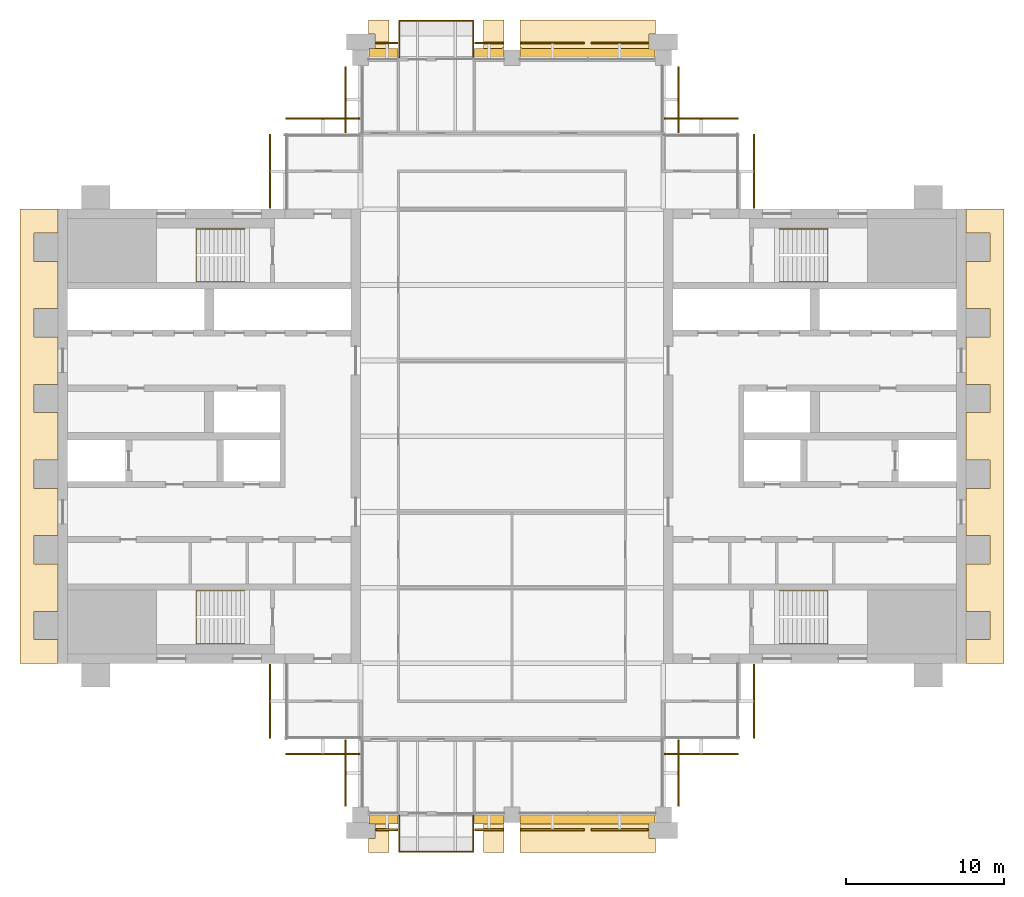
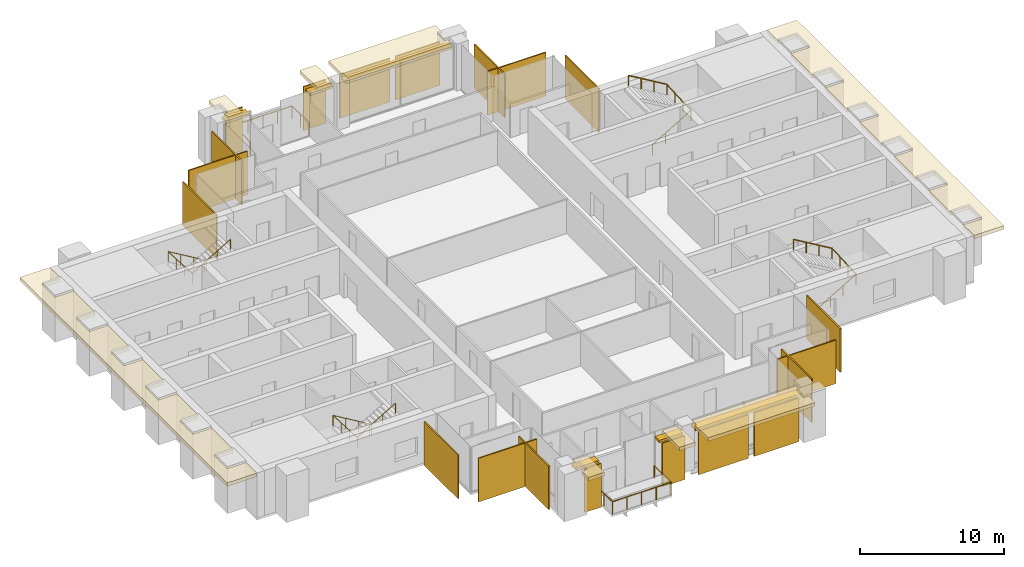
# One storey, part 13 of 13: 28 coverings, 6 railings, 6 shading devices.
"""IFC4 building model written with IfcOpenShell, lengths in metres."""

from ifc_helpers import new_model, si_unit, direction, frame, origin, origin_2d, place, context, subcontext, project, spatial, polyline, rectangle, circle, outline, extrude, material, layer, layer_set, type_object, element, save


model = new_model("IFC4")

# Units and contexts
model_context = context("Model", 3, precision=1e-05, world=origin(), true_north=direction((0.0, 1.0)))
body_context = subcontext(model_context, "Body", "Model", "MODEL_VIEW")
ifc_project = project(units=[si_unit("LENGTHUNIT", "METRE"), si_unit("AREAUNIT", "SQUARE_METRE"), si_unit("VOLUMEUNIT", "CUBIC_METRE"), si_unit("PLANEANGLEUNIT", "RADIAN"), si_unit("MASSUNIT", "GRAM", prefix="KILO")], contexts=[model_context])

# Site, building, storey
site_placement = place(None, origin())
site = spatial("IfcSite", under=ifc_project, at=site_placement, CompositionType="ELEMENT")
building_placement = place(site_placement, origin())
building = spatial("IfcBuilding", under=site, at=building_placement, Name="Baori Bourse Tower", CompositionType="ELEMENT")
storey_placement = place(building_placement, frame((0.0, 0.0, 338.300048828125)))
storey = spatial("IfcBuildingStorey", under=building, at=storey_placement, Name="L75", CompositionType="ELEMENT", Elevation=338.300048828125)

# Coverings
ifc_material_1 = material(Name="Pale anodised aluminium", Category="aluminium")
covering_type_1 = type_object("IfcCoveringType", Name="BD1 Pale metal band", PredefinedType="CLADDING", material=ifc_material_1)
covering_1_placement = place(storey_placement, frame((0.0, 0.0, 3.5400390625)))
element("IfcCovering", 1, at=covering_1_placement, inside=storey, type_object=covering_type_1, Name="Pale projecting band L75 1", PredefinedType="CLADDING", context=body_context, shape_type="SweptSolid", body=[
    extrude(outline(polyline([(57.60009765625, 11.10009765625), (57.60009765625, 9.60009765625), (60.0, 9.60009765625), (60.0, 38.39990234375), (57.60009765625, 38.39990234375), (57.60009765625, 36.89990234375), (59.10009765625, 36.89990234375), (59.10009765625, 35.10009765625), (57.60009765625, 35.10009765625), (57.60009765625, 32.10009765625), (59.10009765625, 32.10009765625), (59.10009765625, 30.300048828125), (57.60009765625, 30.300048828125), (57.60009765625, 27.300048828125), (59.10009765625, 27.300048828125), (59.10009765625, 25.5), (57.60009765625, 25.5), (57.60009765625, 22.5), (59.10009765625, 22.5), (59.10009765625, 20.699951171875), (57.60009765625, 20.699951171875), (57.60009765625, 17.699951171875), (59.10009765625, 17.699951171875), (59.10009765625, 15.89990234375), (57.60009765625, 15.89990234375), (57.60009765625, 12.89990234375), (59.10009765625, 12.89990234375), (59.10009765625, 11.10009765625), (57.60009765625, 11.10009765625)])), origin(), (0.0, 0.0, 1.0), 0.2998046875),
])
covering_2_placement = place(storey_placement, frame((0.0, 0.0, 3.5400390625)))
element("IfcCovering", 2, at=covering_2_placement, inside=storey, type_object=covering_type_1, Name="Pale projecting band L75 2", PredefinedType="CLADDING", context=body_context, shape_type="SweptSolid", body=[
    extrude(outline(polyline([(29.419921875, 48.0), (37.780029296875, 48.0), (37.780029296875, 48.5), (37.5, 48.5), (37.5, 49.5), (37.89990234375, 49.5), (37.89990234375, 50.39990234375), (29.300048828125, 50.39990234375), (29.300048828125, 48.6201171875), (29.419921875, 48.6201171875), (29.419921875, 48.0)])), origin(), (0.0, 0.0, 1.0), 0.2998046875),
])
covering_3_placement = place(storey_placement, frame((0.0, 0.0, 3.5400390625)))
element("IfcCovering", 3, at=covering_3_placement, inside=storey, type_object=covering_type_1, Name="Pale projecting band L75 3", PredefinedType="CLADDING", context=body_context, shape_type="SweptSolid", body=[
    extrude(outline(polyline([(27.0, 48.0), (28.179931640625, 48.0), (28.179931640625, 48.6201171875), (28.300048828125, 48.6201171875), (28.300048828125, 50.39990234375), (27.0, 50.39990234375), (27.0, 48.0)])), origin(), (0.0, 0.0, 1.0), 0.2998046875),
])
covering_4_placement = place(storey_placement, frame((0.0, 0.0, 3.5400390625)))
element("IfcCovering", 4, at=covering_4_placement, inside=storey, type_object=covering_type_1, Name="Pale projecting band L75 4", PredefinedType="CLADDING", context=body_context, shape_type="SweptSolid", body=[
    extrude(outline(polyline([(19.820068359375, 48.0), (21.0, 48.0), (21.0, 50.39990234375), (19.699951171875, 50.39990234375), (19.699951171875, 49.5), (20.10009765625, 49.5), (20.10009765625, 48.5), (19.820068359375, 48.5), (19.820068359375, 48.0)])), origin(), (0.0, 0.0, 1.0), 0.2998046875),
])
covering_5_placement = place(storey_placement, frame((0.0, 0.0, 3.5400390625)))
element("IfcCovering", 5, at=covering_5_placement, inside=storey, type_object=covering_type_1, Name="Pale projecting band L75 5", PredefinedType="CLADDING", context=body_context, shape_type="SweptSolid", body=[
    extrude(outline(polyline([(0.0, 36.89990234375), (0.0, 38.39990234375), (-2.39990234375, 38.39990234375), (-2.39990234375, 9.60009765625), (0.0, 9.60009765625), (0.0, 11.10009765625), (-1.5, 11.10009765625), (-1.5, 12.89990234375), (0.0, 12.89990234375), (0.0, 15.89990234375), (-1.5, 15.89990234375), (-1.5, 17.699951171875), (0.0, 17.699951171875), (0.0, 20.699951171875), (-1.5, 20.699951171875), (-1.5, 22.5), (0.0, 22.5), (0.0, 25.5), (-1.5, 25.5), (-1.5, 27.300048828125), (0.0, 27.300048828125), (0.0, 30.300048828125), (-1.5, 30.300048828125), (-1.5, 32.10009765625), (0.0, 32.10009765625), (0.0, 35.10009765625), (-1.5, 35.10009765625), (-1.5, 36.89990234375), (0.0, 36.89990234375)])), origin(), (0.0, 0.0, 1.0), 0.2998046875),
])
covering_6_placement = place(storey_placement, frame((0.0, 0.0, 3.5400390625)))
element("IfcCovering", 6, at=covering_6_placement, inside=storey, type_object=covering_type_1, Name="Pale projecting band L75 6", PredefinedType="CLADDING", context=body_context, shape_type="SweptSolid", body=[
    extrude(outline(polyline([(21.0, 0.0), (19.820068359375, 0.0), (19.820068359375, -0.5), (20.10009765625, -0.5), (20.10009765625, -1.5), (19.699951171875, -1.5), (19.699951171875, -2.39990234375), (21.0, -2.39990234375), (21.0, 0.0)])), origin(), (0.0, 0.0, 1.0), 0.2998046875),
])
covering_7_placement = place(storey_placement, frame((0.0, 0.0, 3.5400390625)))
element("IfcCovering", 7, at=covering_7_placement, inside=storey, type_object=covering_type_1, Name="Pale projecting band L75 7", PredefinedType="CLADDING", context=body_context, shape_type="SweptSolid", body=[
    extrude(outline(polyline([(28.179931640625, 0.0), (27.0, 0.0), (27.0, -2.39990234375), (28.300048828125, -2.39990234375), (28.300048828125, -0.6201171875), (28.179931640625, -0.6201171875), (28.179931640625, 0.0)])), origin(), (0.0, 0.0, 1.0), 0.2998046875),
])
covering_8_placement = place(storey_placement, frame((0.0, 0.0, 3.5400390625)))
element("IfcCovering", 8, at=covering_8_placement, inside=storey, type_object=covering_type_1, Name="Pale projecting band L75 8", PredefinedType="CLADDING", context=body_context, shape_type="SweptSolid", body=[
    extrude(outline(polyline([(37.780029296875, 0.0), (29.419921875, 0.0), (29.419921875, -0.6201171875), (29.300048828125, -0.6201171875), (29.300048828125, -2.39990234375), (37.89990234375, -2.39990234375), (37.89990234375, -1.5), (37.5, -1.5), (37.5, -0.5), (37.780029296875, -0.5), (37.780029296875, 0.0)])), origin(), (0.0, 0.0, 1.0), 0.2998046875),
])

# Shading devices
ifc_material_2 = material(Name="Concrete f'c 40 MPa", Category="concrete")
ifc_layer_1 = layer(ifc_material_2, 0.199951171875)
ifc_layer_set_1 = layer_set([ifc_layer_1], Name="BS1 Brise-soleil ledge")
shading_device_type = type_object("IfcShadingDeviceType", Name="BS1 Brise-soleil ledge", PredefinedType="USERDEFINED", material=ifc_layer_set_1)
shading_device_1_placement = place(storey_placement, frame((33.60009765625, 48.300048828125, 3.33984375), z_axis=(0.0, 0.0, 1.0), x_axis=(-1.0, 0.0, 0.0)))
element("IfcShadingDevice", 9, at=shading_device_1_placement, inside=storey, type_object=shading_device_type, Name="Brise-soleil ledge L75 1", ObjectType="BRISE SOLEIL", PredefinedType="USERDEFINED", context=body_context, shape_type="SweptSolid", body=[
    extrude(rectangle(XDim=8.56005859375, YDim=0.60009765625, at=origin_2d()), origin(), (0.0, 0.0, 1.0), 0.199951171875),
])
for number, where, z_axis, x_axis, name in (
    (10, (27.35009765625, 48.300048828125, 3.33984375), (0.0, 0.0, 1.0), (-1.0, 0.0, 0.0), "Brise-soleil ledge L75 2"),
    (11, (20.64990234375, 48.300048828125, 3.33984375), (0.0, 0.0, 1.0), (-1.0, 0.0, 0.0), "Brise-soleil ledge L75 3"),
    (12, (20.64990234375, -0.300048828125, 3.33984375), (0.0, 0.0, 1.0), (1.0, 0.0, 0.0), "Brise-soleil ledge L75 4"),
    (13, (27.35009765625, -0.300048828125, 3.33984375), (0.0, 0.0, 1.0), (1.0, 0.0, 0.0), "Brise-soleil ledge L75 5"),
):
    element("IfcShadingDevice", number, at=place(storey_placement, frame(where, z_axis=z_axis, x_axis=x_axis)), inside=storey, type_object=shading_device_type, Name=name, ObjectType="BRISE SOLEIL", PredefinedType="USERDEFINED", context=body_context, shape_type="SweptSolid", body=[
        extrude(rectangle(XDim=1.860107421875, YDim=0.60009765625, at=origin_2d()), origin(), (0.0, 0.0, 1.0), 0.199951171875),
    ])
shading_device_2_placement = place(storey_placement, frame((33.60009765625, -0.300048828125, 3.33984375), z_axis=(0.0, 0.0, 1.0), x_axis=(1.0, 0.0, 0.0)))
element("IfcShadingDevice", 14, at=shading_device_2_placement, inside=storey, type_object=shading_device_type, Name="Brise-soleil ledge L75 6", ObjectType="BRISE SOLEIL", PredefinedType="USERDEFINED", context=body_context, shape_type="SweptSolid", body=[
    extrude(rectangle(XDim=8.56005859375, YDim=0.60009765625, at=origin_2d()), origin(), (0.0, 0.0, 1.0), 0.199951171875),
])

# Railings
ifc_material_3 = material(Name="Powder-coated steel balustrade", Category="steel")
railing_type_1 = type_object("IfcRailingType", Name="Core stair handrail", PredefinedType="HANDRAIL", material=ifc_material_3)
railing_1_placement = place(storey_placement, frame((11.85009765625, 14.199951171875, 0.16650390625)))
element("IfcRailing", 15, at=railing_1_placement, inside=storey, type_object=railing_type_1, Name="L75 ST1 stair handrail 1", PredefinedType="HANDRAIL", context=body_context, shape_type="SweptSolid", body=[
    extrude(circle(Radius=0.02392578125, at=origin_2d()), frame((0.0, 0.0, 0.8759765625), z_axis=(-0.85927862911, 0.0, 0.511507807912), x_axis=(0.0, -1.0, 0.0)), (0.0, 0.0, 1.0), 3.58447265625),
    extrude(circle(Radius=0.02392578125, at=origin_2d()), frame((-3.080078125, 0.0, 2.70947265625), z_axis=(0.0, -0.998766999029, 0.049643545903), x_axis=(1.0, 0.0, 0.0)), (0.0, 0.0, 1.0), 3.35400390625),
    extrude(circle(Radius=0.02392578125, at=origin_2d()), frame((-3.080078125, -3.349853515625, 2.8759765625), z_axis=(0.85927862911, 0.0, 0.511507807912), x_axis=(0.0, 1.0, 0.0)), (0.0, 0.0, 1.0), 3.58447265625),
    extrude(circle(Radius=0.02099609375, at=origin_2d()), origin(), (0.0, 0.0, 1.0), 0.851806640625),
    extrude(circle(Radius=0.02099609375, at=origin_2d()), frame((-1.026611328125, 0.0, 0.611083984375)), (0.0, 0.0, 1.0), 0.851806640625),
    extrude(circle(Radius=0.02099609375, at=origin_2d()), frame((-2.053466796875, 0.0, 1.222412109375)), (0.0, 0.0, 1.0), 0.851806640625),
    extrude(circle(Radius=0.02099609375, at=origin_2d()), frame((-3.080078125, 0.0, 1.83349609375)), (0.0, 0.0, 1.0), 0.851806640625),
    extrude(circle(Radius=0.02099609375, at=origin_2d()), frame((-3.080078125, -1.11669921875, 1.888916015625)), (0.0, 0.0, 1.0), 0.851806640625),
    extrude(circle(Radius=0.02099609375, at=origin_2d()), frame((-3.080078125, -2.233154296875, 1.944580078125)), (0.0, 0.0, 1.0), 0.851806640625),
    extrude(circle(Radius=0.02099609375, at=origin_2d()), frame((-3.080078125, -3.349853515625, 2.0)), (0.0, 0.0, 1.0), 0.851806640625),
    extrude(circle(Radius=0.02099609375, at=origin_2d()), frame((-2.053466796875, -3.349853515625, 2.611083984375)), (0.0, 0.0, 1.0), 0.851806640625),
    extrude(circle(Radius=0.02099609375, at=origin_2d()), frame((-1.026611328125, -3.349853515625, 3.222412109375)), (0.0, 0.0, 1.0), 0.851806640625),
    extrude(circle(Radius=0.02099609375, at=origin_2d()), frame((0.0, -3.349853515625, 3.83349609375)), (0.0, 0.0, 1.0), 0.851806640625),
])
railing_2_placement = place(storey_placement, frame((11.85009765625, 37.14990234375, 0.16650390625)))
element("IfcRailing", 16, at=railing_2_placement, inside=storey, type_object=railing_type_1, Name="L75 ST2 stair handrail 1", PredefinedType="HANDRAIL", context=body_context, shape_type="SweptSolid", body=[
    extrude(circle(Radius=0.02392578125, at=origin_2d()), frame((0.0, 0.0, 0.8759765625), z_axis=(-0.85927862911, 0.0, 0.511507807912), x_axis=(0.0, -1.0, 0.0)), (0.0, 0.0, 1.0), 3.58447265625),
    extrude(circle(Radius=0.02392578125, at=origin_2d()), frame((-3.080078125, 0.0, 2.70947265625), z_axis=(0.0, -0.998766999029, 0.049643545903), x_axis=(1.0, 0.0, 0.0)), (0.0, 0.0, 1.0), 3.35400390625),
    extrude(circle(Radius=0.02392578125, at=origin_2d()), frame((-3.080078125, -3.349853515625, 2.8759765625), z_axis=(0.85927862911, 0.0, 0.511507807912), x_axis=(0.0, 1.0, 0.0)), (0.0, 0.0, 1.0), 3.58447265625),
    extrude(circle(Radius=0.02099609375, at=origin_2d()), origin(), (0.0, 0.0, 1.0), 0.851806640625),
    extrude(circle(Radius=0.02099609375, at=origin_2d()), frame((-1.026611328125, 0.0, 0.611083984375)), (0.0, 0.0, 1.0), 0.851806640625),
    extrude(circle(Radius=0.02099609375, at=origin_2d()), frame((-2.053466796875, 0.0, 1.222412109375)), (0.0, 0.0, 1.0), 0.851806640625),
    extrude(circle(Radius=0.02099609375, at=origin_2d()), frame((-3.080078125, 0.0, 1.83349609375)), (0.0, 0.0, 1.0), 0.851806640625),
    extrude(circle(Radius=0.02099609375, at=origin_2d()), frame((-3.080078125, -1.11669921875, 1.888916015625)), (0.0, 0.0, 1.0), 0.851806640625),
    extrude(circle(Radius=0.02099609375, at=origin_2d()), frame((-3.080078125, -2.233154296875, 1.944580078125)), (0.0, 0.0, 1.0), 0.851806640625),
    extrude(circle(Radius=0.02099609375, at=origin_2d()), frame((-3.080078125, -3.349853515625, 2.0)), (0.0, 0.0, 1.0), 0.851806640625),
    extrude(circle(Radius=0.02099609375, at=origin_2d()), frame((-2.053466796875, -3.349853515625, 2.611083984375)), (0.0, 0.0, 1.0), 0.851806640625),
    extrude(circle(Radius=0.02099609375, at=origin_2d()), frame((-1.026611328125, -3.349853515625, 3.222412109375)), (0.0, 0.0, 1.0), 0.851806640625),
    extrude(circle(Radius=0.02099609375, at=origin_2d()), frame((0.0, -3.349853515625, 3.83349609375)), (0.0, 0.0, 1.0), 0.851806640625),
])
railing_3_placement = place(storey_placement, frame((45.75, 10.85009765625, 0.16650390625)))
element("IfcRailing", 17, at=railing_3_placement, inside=storey, type_object=railing_type_1, Name="L75 ST3 stair handrail 1", PredefinedType="HANDRAIL", context=body_context, shape_type="SweptSolid", body=[
    extrude(circle(Radius=0.02392578125, at=origin_2d()), frame((0.0, 0.0, 0.8759765625), z_axis=(0.85927862911, 0.0, 0.511507807912), x_axis=(0.0, 1.0, 0.0)), (0.0, 0.0, 1.0), 3.58447265625),
    extrude(circle(Radius=0.02392578125, at=origin_2d()), frame((3.080078125, 0.0, 2.70947265625), z_axis=(0.0, 0.998766999029, 0.049643545903), x_axis=(-1.0, 0.0, 0.0)), (0.0, 0.0, 1.0), 3.35400390625),
    extrude(circle(Radius=0.02392578125, at=origin_2d()), frame((3.080078125, 3.349853515625, 2.8759765625), z_axis=(-0.85927862911, 0.0, 0.511507807912), x_axis=(0.0, -1.0, 0.0)), (0.0, 0.0, 1.0), 3.58447265625),
    extrude(circle(Radius=0.02099609375, at=origin_2d()), origin(), (0.0, 0.0, 1.0), 0.851806640625),
    extrude(circle(Radius=0.02099609375, at=origin_2d()), frame((1.026611328125, 0.0, 0.611083984375)), (0.0, 0.0, 1.0), 0.851806640625),
    extrude(circle(Radius=0.02099609375, at=origin_2d()), frame((2.053466796875, 0.0, 1.222412109375)), (0.0, 0.0, 1.0), 0.851806640625),
    extrude(circle(Radius=0.02099609375, at=origin_2d()), frame((3.080078125, 0.0, 1.83349609375)), (0.0, 0.0, 1.0), 0.851806640625),
    extrude(circle(Radius=0.02099609375, at=origin_2d()), frame((3.080078125, 1.11669921875, 1.888916015625)), (0.0, 0.0, 1.0), 0.851806640625),
    extrude(circle(Radius=0.02099609375, at=origin_2d()), frame((3.080078125, 2.233154296875, 1.944580078125)), (0.0, 0.0, 1.0), 0.851806640625),
    extrude(circle(Radius=0.02099609375, at=origin_2d()), frame((3.080078125, 3.349853515625, 2.0)), (0.0, 0.0, 1.0), 0.851806640625),
    extrude(circle(Radius=0.02099609375, at=origin_2d()), frame((2.053466796875, 3.349853515625, 2.611083984375)), (0.0, 0.0, 1.0), 0.851806640625),
    extrude(circle(Radius=0.02099609375, at=origin_2d()), frame((1.026611328125, 3.349853515625, 3.222412109375)), (0.0, 0.0, 1.0), 0.851806640625),
    extrude(circle(Radius=0.02099609375, at=origin_2d()), frame((0.0, 3.349853515625, 3.83349609375)), (0.0, 0.0, 1.0), 0.851806640625),
])
railing_4_placement = place(storey_placement, frame((45.75, 33.800048828125, 0.16650390625)))
element("IfcRailing", 18, at=railing_4_placement, inside=storey, type_object=railing_type_1, Name="L75 ST4 stair handrail 1", PredefinedType="HANDRAIL", context=body_context, shape_type="SweptSolid", body=[
    extrude(circle(Radius=0.02392578125, at=origin_2d()), frame((0.0, 0.0, 0.8759765625), z_axis=(0.85927862911, 0.0, 0.511507807912), x_axis=(0.0, 1.0, 0.0)), (0.0, 0.0, 1.0), 3.58447265625),
    extrude(circle(Radius=0.02392578125, at=origin_2d()), frame((3.080078125, 0.0, 2.70947265625), z_axis=(0.0, 0.998766999029, 0.049643545903), x_axis=(-1.0, 0.0, 0.0)), (0.0, 0.0, 1.0), 3.35400390625),
    extrude(circle(Radius=0.02392578125, at=origin_2d()), frame((3.080078125, 3.349853515625, 2.8759765625), z_axis=(-0.85927862911, 0.0, 0.511507807912), x_axis=(0.0, -1.0, 0.0)), (0.0, 0.0, 1.0), 3.58447265625),
    extrude(circle(Radius=0.02099609375, at=origin_2d()), origin(), (0.0, 0.0, 1.0), 0.851806640625),
    extrude(circle(Radius=0.02099609375, at=origin_2d()), frame((1.026611328125, 0.0, 0.611083984375)), (0.0, 0.0, 1.0), 0.851806640625),
    extrude(circle(Radius=0.02099609375, at=origin_2d()), frame((2.053466796875, 0.0, 1.222412109375)), (0.0, 0.0, 1.0), 0.851806640625),
    extrude(circle(Radius=0.02099609375, at=origin_2d()), frame((3.080078125, 0.0, 1.83349609375)), (0.0, 0.0, 1.0), 0.851806640625),
    extrude(circle(Radius=0.02099609375, at=origin_2d()), frame((3.080078125, 1.11669921875, 1.888916015625)), (0.0, 0.0, 1.0), 0.851806640625),
    extrude(circle(Radius=0.02099609375, at=origin_2d()), frame((3.080078125, 2.233154296875, 1.944580078125)), (0.0, 0.0, 1.0), 0.851806640625),
    extrude(circle(Radius=0.02099609375, at=origin_2d()), frame((3.080078125, 3.349853515625, 2.0)), (0.0, 0.0, 1.0), 0.851806640625),
    extrude(circle(Radius=0.02099609375, at=origin_2d()), frame((2.053466796875, 3.349853515625, 2.611083984375)), (0.0, 0.0, 1.0), 0.851806640625),
    extrude(circle(Radius=0.02099609375, at=origin_2d()), frame((1.026611328125, 3.349853515625, 3.222412109375)), (0.0, 0.0, 1.0), 0.851806640625),
    extrude(circle(Radius=0.02099609375, at=origin_2d()), frame((0.0, 3.349853515625, 3.83349609375)), (0.0, 0.0, 1.0), 0.851806640625),
])
ifc_material_4 = material(Name="Stainless steel", Category="steel")
railing_type_2 = type_object("IfcRailingType", Name="GD1 Guard", PredefinedType="GUARDRAIL", material=ifc_material_4)
railing_5_placement = place(storey_placement, frame((21.64990234375, -0.030029296875, 0.0)))
element("IfcRailing", 19, at=railing_5_placement, inside=storey, type_object=railing_type_2, Name="Guard balcony S L75 1", PredefinedType="GUARDRAIL", context=body_context, shape_type="SweptSolid", body=[
    extrude(circle(Radius=0.02392578125, at=origin_2d()), frame((0.0, 0.0, 1.076171875), z_axis=(0.0, -1.0, 0.0), x_axis=(1.0, 0.0, 0.0)), (0.0, 0.0, 1.0), 2.320068359375),
    extrude(circle(Radius=0.02392578125, at=origin_2d()), frame((0.0, -2.320068359375, 1.076171875), z_axis=(1.0, 0.0, 0.0), x_axis=(0.0, 1.0, 0.0)), (0.0, 0.0, 1.0), 4.7001953125),
    extrude(circle(Radius=0.02392578125, at=origin_2d()), frame((4.7001953125, -2.320068359375, 1.076171875), z_axis=(0.0, 1.0, 0.0), x_axis=(-1.0, 0.0, 0.0)), (0.0, 0.0, 1.0), 2.320068359375),
    extrude(circle(Radius=0.02099609375, at=origin_2d()), origin(), (0.0, 0.0, 1.0), 1.052001953125),
    extrude(circle(Radius=0.02099609375, at=origin_2d()), frame((0.0, -1.16015625, 0.0)), (0.0, 0.0, 1.0), 1.052001953125),
    extrude(circle(Radius=0.02099609375, at=origin_2d()), frame((0.0, -2.320068359375, 0.0)), (0.0, 0.0, 1.0), 1.052001953125),
    extrude(circle(Radius=0.02099609375, at=origin_2d()), frame((1.175048828125, -2.320068359375, 0.0)), (0.0, 0.0, 1.0), 1.052001953125),
    extrude(circle(Radius=0.02099609375, at=origin_2d()), frame((2.35009765625, -2.320068359375, 0.0)), (0.0, 0.0, 1.0), 1.052001953125),
    extrude(circle(Radius=0.02099609375, at=origin_2d()), frame((3.525146484375, -2.320068359375, 0.0)), (0.0, 0.0, 1.0), 1.052001953125),
    extrude(circle(Radius=0.02099609375, at=origin_2d()), frame((4.7001953125, -2.320068359375, 0.0)), (0.0, 0.0, 1.0), 1.052001953125),
    extrude(circle(Radius=0.02099609375, at=origin_2d()), frame((4.7001953125, -1.16015625, 0.0)), (0.0, 0.0, 1.0), 1.052001953125),
    extrude(circle(Radius=0.02099609375, at=origin_2d()), frame((4.7001953125, 0.0, 0.0)), (0.0, 0.0, 1.0), 1.052001953125),
])
railing_6_placement = place(storey_placement, frame((21.64990234375, 48.030029296875, 0.0)))
element("IfcRailing", 20, at=railing_6_placement, inside=storey, type_object=railing_type_2, Name="Guard balcony N L75 2", PredefinedType="GUARDRAIL", context=body_context, shape_type="SweptSolid", body=[
    extrude(circle(Radius=0.02392578125, at=origin_2d()), frame((0.0, 0.0, 1.076171875), z_axis=(0.0, 1.0, 0.0), x_axis=(-1.0, 0.0, 0.0)), (0.0, 0.0, 1.0), 2.320068359375),
    extrude(circle(Radius=0.02392578125, at=origin_2d()), frame((0.0, 2.320068359375, 1.076171875), z_axis=(1.0, 0.0, 0.0), x_axis=(0.0, 1.0, 0.0)), (0.0, 0.0, 1.0), 4.7001953125),
    extrude(circle(Radius=0.02392578125, at=origin_2d()), frame((4.7001953125, 2.320068359375, 1.076171875), z_axis=(0.0, -1.0, 0.0), x_axis=(1.0, 0.0, 0.0)), (0.0, 0.0, 1.0), 2.320068359375),
    extrude(circle(Radius=0.02099609375, at=origin_2d()), origin(), (0.0, 0.0, 1.0), 1.052001953125),
    extrude(circle(Radius=0.02099609375, at=origin_2d()), frame((0.0, 1.16015625, 0.0)), (0.0, 0.0, 1.0), 1.052001953125),
    extrude(circle(Radius=0.02099609375, at=origin_2d()), frame((0.0, 2.320068359375, 0.0)), (0.0, 0.0, 1.0), 1.052001953125),
    extrude(circle(Radius=0.02099609375, at=origin_2d()), frame((1.175048828125, 2.320068359375, 0.0)), (0.0, 0.0, 1.0), 1.052001953125),
    extrude(circle(Radius=0.02099609375, at=origin_2d()), frame((2.35009765625, 2.320068359375, 0.0)), (0.0, 0.0, 1.0), 1.052001953125),
    extrude(circle(Radius=0.02099609375, at=origin_2d()), frame((3.525146484375, 2.320068359375, 0.0)), (0.0, 0.0, 1.0), 1.052001953125),
    extrude(circle(Radius=0.02099609375, at=origin_2d()), frame((4.7001953125, 2.320068359375, 0.0)), (0.0, 0.0, 1.0), 1.052001953125),
    extrude(circle(Radius=0.02099609375, at=origin_2d()), frame((4.7001953125, 1.16015625, 0.0)), (0.0, 0.0, 1.0), 1.052001953125),
    extrude(circle(Radius=0.02099609375, at=origin_2d()), frame((4.7001953125, 0.0, 0.0)), (0.0, 0.0, 1.0), 1.052001953125),
])

# Coverings
ifc_material_5 = material(Name="Pale anodised aluminium", Category="aluminium")
ifc_layer_2 = layer(ifc_material_5, 0.10009765625)
ifc_layer_set_2 = layer_set([ifc_layer_2], Name="OS3 Outer skin screen panel")
covering_type_2 = type_object("IfcCoveringType", Name="OS3 Outer skin screen panel", PredefinedType="CLADDING", material=ifc_layer_set_2)
covering_9_placement = place(storey_placement, frame((0.0, 0.0, -0.16015625)))
element("IfcCovering", 21, at=covering_9_placement, inside=storey, type_object=covering_type_2, Name="Outer skin screen L75 1", PredefinedType="CLADDING", context=body_context, shape_type="SweptSolid", body=[
    extrude(outline(polyline([(44.10009765625, 43.14990234375), (44.10009765625, 38.449951171875), (44.199951171875, 38.449951171875), (44.199951171875, 43.14990234375), (44.10009765625, 43.14990234375)])), origin(), (0.0, 0.0, 1.0), 3.7001953125),
])
covering_10_placement = place(storey_placement, frame((0.0, 0.0, -0.16015625)))
element("IfcCovering", 22, at=covering_10_placement, inside=storey, type_object=covering_type_2, Name="Outer skin screen L75 2", PredefinedType="CLADDING", context=body_context, shape_type="SweptSolid", body=[
    extrude(outline(polyline([(38.449951171875, 44.10009765625), (43.14990234375, 44.10009765625), (43.14990234375, 44.199951171875), (38.449951171875, 44.199951171875), (38.449951171875, 44.10009765625)])), origin(), (0.0, 0.0, 1.0), 3.7001953125),
])
covering_11_placement = place(storey_placement, frame((0.0, 0.0, -0.16015625)))
element("IfcCovering", 23, at=covering_11_placement, inside=storey, type_object=covering_type_2, Name="Outer skin screen L75 3", PredefinedType="CLADDING", context=body_context, shape_type="SweptSolid", body=[
    extrude(outline(polyline([(39.300048828125, 47.449951171875), (39.300048828125, 43.25), (39.39990234375, 43.25), (39.39990234375, 47.449951171875), (39.300048828125, 47.449951171875)])), origin(), (0.0, 0.0, 1.0), 3.7001953125),
])
covering_12_placement = place(storey_placement, frame((0.0, 0.0, -0.16015625)))
element("IfcCovering", 24, at=covering_12_placement, inside=storey, type_object=covering_type_2, Name="Outer skin screen L75 4", PredefinedType="CLADDING", context=body_context, shape_type="SweptSolid", body=[
    extrude(outline(polyline([(33.824951171875, 48.89990234375), (37.39990234375, 48.89990234375), (37.39990234375, 49.0), (33.824951171875, 49.0), (33.824951171875, 48.89990234375)])), origin(), (0.0, 0.0, 1.0), 3.7001953125),
])
covering_13_placement = place(storey_placement, frame((0.0, 0.0, -0.16015625)))
element("IfcCovering", 25, at=covering_13_placement, inside=storey, type_object=covering_type_2, Name="Outer skin screen L75 5", PredefinedType="CLADDING", context=body_context, shape_type="SweptSolid", body=[
    extrude(outline(polyline([(29.35009765625, 48.89990234375), (33.375, 48.89990234375), (33.375, 49.0), (29.35009765625, 49.0), (29.35009765625, 48.89990234375)])), origin(), (0.0, 0.0, 1.0), 3.7001953125),
])
covering_14_placement = place(storey_placement, frame((0.0, 0.0, -0.16015625)))
element("IfcCovering", 26, at=covering_14_placement, inside=storey, type_object=covering_type_2, Name="Outer skin screen L75 6", PredefinedType="CLADDING", context=body_context, shape_type="SweptSolid", body=[
    extrude(outline(polyline([(26.449951171875, 48.89990234375), (28.25, 48.89990234375), (28.25, 49.0), (26.449951171875, 49.0), (26.449951171875, 48.89990234375)])), origin(), (0.0, 0.0, 1.0), 3.7001953125),
])
covering_15_placement = place(storey_placement, frame((0.0, 0.0, -0.16015625)))
element("IfcCovering", 27, at=covering_15_placement, inside=storey, type_object=covering_type_2, Name="Outer skin screen L75 7", PredefinedType="CLADDING", context=body_context, shape_type="SweptSolid", body=[
    extrude(outline(polyline([(20.199951171875, 48.89990234375), (21.550048828125, 48.89990234375), (21.550048828125, 49.0), (20.199951171875, 49.0), (20.199951171875, 48.89990234375)])), origin(), (0.0, 0.0, 1.0), 3.7001953125),
])
covering_16_placement = place(storey_placement, frame((0.0, 0.0, -0.16015625)))
element("IfcCovering", 28, at=covering_16_placement, inside=storey, type_object=covering_type_2, Name="Outer skin screen L75 8", PredefinedType="CLADDING", context=body_context, shape_type="SweptSolid", body=[
    extrude(outline(polyline([(18.300048828125, 43.25), (18.300048828125, 47.449951171875), (18.199951171875, 47.449951171875), (18.199951171875, 43.25), (18.300048828125, 43.25)])), origin(), (0.0, 0.0, 1.0), 3.7001953125),
])
covering_17_placement = place(storey_placement, frame((0.0, 0.0, -0.16015625)))
element("IfcCovering", 29, at=covering_17_placement, inside=storey, type_object=covering_type_2, Name="Outer skin screen L75 9", PredefinedType="CLADDING", context=body_context, shape_type="SweptSolid", body=[
    extrude(outline(polyline([(14.449951171875, 44.10009765625), (19.14990234375, 44.10009765625), (19.14990234375, 44.199951171875), (14.449951171875, 44.199951171875), (14.449951171875, 44.10009765625)])), origin(), (0.0, 0.0, 1.0), 3.7001953125),
])
covering_18_placement = place(storey_placement, frame((0.0, 0.0, -0.16015625)))
element("IfcCovering", 30, at=covering_18_placement, inside=storey, type_object=covering_type_2, Name="Outer skin screen L75 10", PredefinedType="CLADDING", context=body_context, shape_type="SweptSolid", body=[
    extrude(outline(polyline([(13.5, 38.449951171875), (13.5, 43.14990234375), (13.39990234375, 43.14990234375), (13.39990234375, 38.449951171875), (13.5, 38.449951171875)])), origin(), (0.0, 0.0, 1.0), 3.7001953125),
])
covering_19_placement = place(storey_placement, frame((0.0, 0.0, -0.16015625)))
element("IfcCovering", 31, at=covering_19_placement, inside=storey, type_object=covering_type_2, Name="Outer skin screen L75 11", PredefinedType="CLADDING", context=body_context, shape_type="SweptSolid", body=[
    extrude(outline(polyline([(13.5, 4.85009765625), (13.5, 9.550048828125), (13.39990234375, 9.550048828125), (13.39990234375, 4.85009765625), (13.5, 4.85009765625)])), origin(), (0.0, 0.0, 1.0), 3.7001953125),
])
covering_20_placement = place(storey_placement, frame((0.0, 0.0, -0.16015625)))
element("IfcCovering", 32, at=covering_20_placement, inside=storey, type_object=covering_type_2, Name="Outer skin screen L75 12", PredefinedType="CLADDING", context=body_context, shape_type="SweptSolid", body=[
    extrude(outline(polyline([(19.14990234375, 3.89990234375), (14.449951171875, 3.89990234375), (14.449951171875, 3.800048828125), (19.14990234375, 3.800048828125), (19.14990234375, 3.89990234375)])), origin(), (0.0, 0.0, 1.0), 3.7001953125),
])
covering_21_placement = place(storey_placement, frame((0.0, 0.0, -0.16015625)))
element("IfcCovering", 33, at=covering_21_placement, inside=storey, type_object=covering_type_2, Name="Outer skin screen L75 13", PredefinedType="CLADDING", context=body_context, shape_type="SweptSolid", body=[
    extrude(outline(polyline([(18.300048828125, 0.550048828125), (18.300048828125, 4.75), (18.199951171875, 4.75), (18.199951171875, 0.550048828125), (18.300048828125, 0.550048828125)])), origin(), (0.0, 0.0, 1.0), 3.7001953125),
])
covering_22_placement = place(storey_placement, frame((0.0, 0.0, -0.16015625)))
element("IfcCovering", 34, at=covering_22_placement, inside=storey, type_object=covering_type_2, Name="Outer skin screen L75 14", PredefinedType="CLADDING", context=body_context, shape_type="SweptSolid", body=[
    extrude(outline(polyline([(21.550048828125, -0.89990234375), (20.199951171875, -0.89990234375), (20.199951171875, -1.0), (21.550048828125, -1.0), (21.550048828125, -0.89990234375)])), origin(), (0.0, 0.0, 1.0), 3.7001953125),
])
covering_23_placement = place(storey_placement, frame((0.0, 0.0, -0.16015625)))
element("IfcCovering", 35, at=covering_23_placement, inside=storey, type_object=covering_type_2, Name="Outer skin screen L75 15", PredefinedType="CLADDING", context=body_context, shape_type="SweptSolid", body=[
    extrude(outline(polyline([(28.25, -0.89990234375), (26.449951171875, -0.89990234375), (26.449951171875, -1.0), (28.25, -1.0), (28.25, -0.89990234375)])), origin(), (0.0, 0.0, 1.0), 3.7001953125),
])
covering_24_placement = place(storey_placement, frame((0.0, 0.0, -0.16015625)))
element("IfcCovering", 36, at=covering_24_placement, inside=storey, type_object=covering_type_2, Name="Outer skin screen L75 16", PredefinedType="CLADDING", context=body_context, shape_type="SweptSolid", body=[
    extrude(outline(polyline([(33.375, -0.89990234375), (29.35009765625, -0.89990234375), (29.35009765625, -1.0), (33.375, -1.0), (33.375, -0.89990234375)])), origin(), (0.0, 0.0, 1.0), 3.7001953125),
])
covering_25_placement = place(storey_placement, frame((0.0, 0.0, -0.16015625)))
element("IfcCovering", 37, at=covering_25_placement, inside=storey, type_object=covering_type_2, Name="Outer skin screen L75 17", PredefinedType="CLADDING", context=body_context, shape_type="SweptSolid", body=[
    extrude(outline(polyline([(37.39990234375, -0.89990234375), (33.824951171875, -0.89990234375), (33.824951171875, -1.0), (37.39990234375, -1.0), (37.39990234375, -0.89990234375)])), origin(), (0.0, 0.0, 1.0), 3.7001953125),
])
covering_26_placement = place(storey_placement, frame((0.0, 0.0, -0.16015625)))
element("IfcCovering", 38, at=covering_26_placement, inside=storey, type_object=covering_type_2, Name="Outer skin screen L75 18", PredefinedType="CLADDING", context=body_context, shape_type="SweptSolid", body=[
    extrude(outline(polyline([(39.300048828125, 4.75), (39.300048828125, 0.550048828125), (39.39990234375, 0.550048828125), (39.39990234375, 4.75), (39.300048828125, 4.75)])), origin(), (0.0, 0.0, 1.0), 3.7001953125),
])
covering_27_placement = place(storey_placement, frame((0.0, 0.0, -0.16015625)))
element("IfcCovering", 39, at=covering_27_placement, inside=storey, type_object=covering_type_2, Name="Outer skin screen L75 19", PredefinedType="CLADDING", context=body_context, shape_type="SweptSolid", body=[
    extrude(outline(polyline([(43.14990234375, 3.89990234375), (38.449951171875, 3.89990234375), (38.449951171875, 3.800048828125), (43.14990234375, 3.800048828125), (43.14990234375, 3.89990234375)])), origin(), (0.0, 0.0, 1.0), 3.7001953125),
])
covering_28_placement = place(storey_placement, frame((0.0, 0.0, -0.16015625)))
element("IfcCovering", 40, at=covering_28_placement, inside=storey, type_object=covering_type_2, Name="Outer skin screen L75 20", PredefinedType="CLADDING", context=body_context, shape_type="SweptSolid", body=[
    extrude(outline(polyline([(44.10009765625, 9.550048828125), (44.10009765625, 4.85009765625), (44.199951171875, 4.85009765625), (44.199951171875, 9.550048828125), (44.10009765625, 9.550048828125)])), origin(), (0.0, 0.0, 1.0), 3.7001953125),
])

save(model, "model.ifc")
